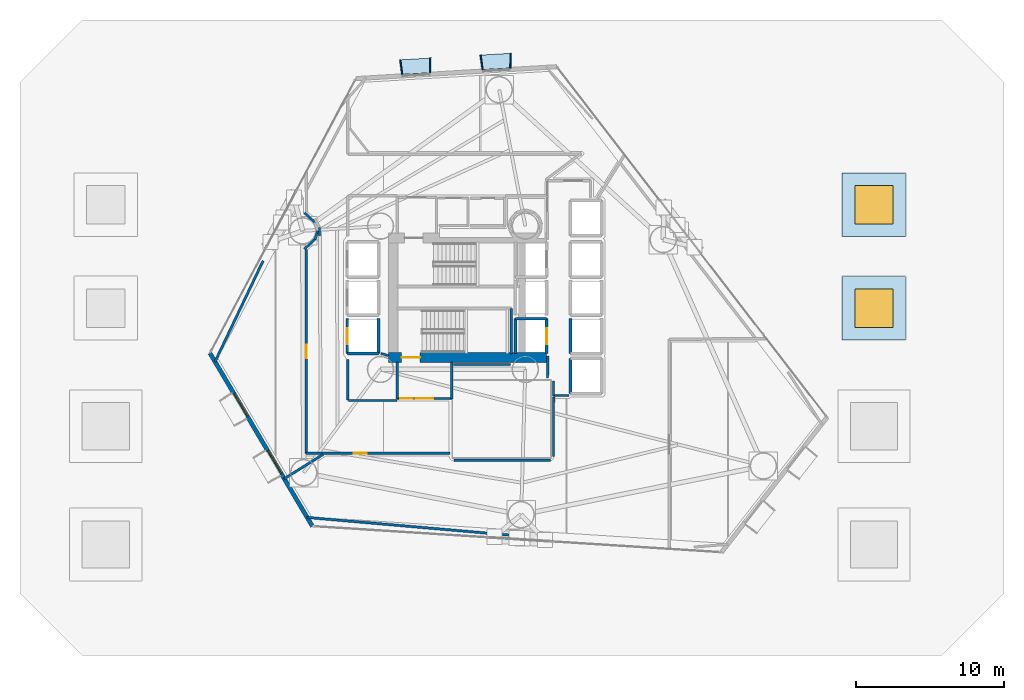
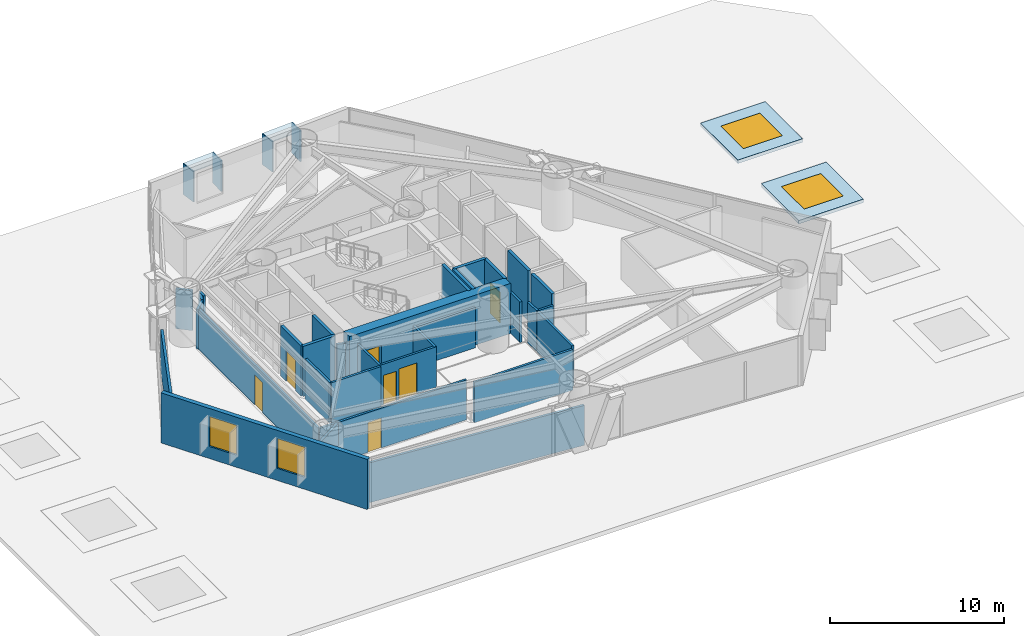
# One storey, part 16 of 22: 32 walls, 7 doors, 6 plates, 4 windows, 2 slabs, 11 openings.
"""IFC4 building model written with IfcOpenShell, lengths in metres."""

from ifc_helpers import new_model, si_unit, direction, frame, frame_2d, origin, origin_2d, place, context, subcontext, project, spatial, polyline, rectangle, outline, extrude, material, layer, layer_set, type_object, element, fill, save


model = new_model("IFC4")

# Units and contexts
model_context = context("Model", 3, precision=1e-05, world=origin(), true_north=direction((0.0, 1.0)))
body_context = subcontext(model_context, "Body", "Model", "MODEL_VIEW")
ifc_project = project(units=[si_unit("LENGTHUNIT", "METRE"), si_unit("AREAUNIT", "SQUARE_METRE"), si_unit("VOLUMEUNIT", "CUBIC_METRE"), si_unit("PLANEANGLEUNIT", "RADIAN"), si_unit("MASSUNIT", "GRAM", prefix="KILO")], contexts=[model_context])

# Site, building, storey
site_placement = place(None, origin())
site = spatial("IfcSite", under=ifc_project, at=site_placement, CompositionType="ELEMENT")
building_placement = place(site_placement, origin())
building = spatial("IfcBuilding", under=site, at=building_placement, Name="Qianvela Tower", CompositionType="ELEMENT")
storey_placement = place(building_placement, frame((0.0, 0.0, 25.699951171875)))
storey = spatial("IfcBuildingStorey", under=building, at=storey_placement, Name="L05", CompositionType="ELEMENT", Elevation=25.699951171875)

# Slab, opening, window
ifc_material_1 = material(Name="Insulated Roof Concrete C40", Category="concrete")
ifc_layer_1 = layer(ifc_material_1, 0.239990234375)
ifc_layer_set_1 = layer_set([ifc_layer_1], Name="Insulated Roof Concrete C40")
slab_type = type_object("IfcSlabType", Name="SL-ROOF-CANOPY-240", PredefinedType="ROOF", material=ifc_layer_set_1)
slab_1_placement = place(storey_placement, frame((0.0, 0.0, -0.239990234375)))
slab_1 = element("IfcSlab", 1, at=slab_1_placement, inside=storey, type_object=slab_type, Name="L05 Podium Skylight Roof Deck SKP-E3", PredefinedType="ROOF", context=body_context, shape_type="SweptSolid", body=[
    extrude(outline(polyline([(59.85009765625, 25.85009765625), (64.14990234375, 25.85009765625), (64.14990234375, 30.14990234375), (59.85009765625, 30.14990234375), (59.85009765625, 25.85009765625)])), origin(), (0.0, 0.0, 1.0), 0.239990234375),
])
opening_1_placement = place(slab_1_placement, frame((62.0, 28.0, 0.0)))
opening_1 = element("IfcOpeningElement", 2, at=opening_1_placement, cuts=slab_1, Name="Opening SK-02", PredefinedType="OPENING", context=body_context, shape_type="SweptSolid", body=[
    extrude(rectangle(XDim=2.60009765625, YDim=2.60009765625, at=origin_2d()), origin(), (0.0, 0.0, 1.0), 0.239990234375),
])
ifc_material_2 = material(Name="Laminated Safety Low-E Skylight Glass", Category="glass")
window_type_1 = type_object("IfcWindowType", Name="SKY-POD-2600x2600", PartitioningType="SINGLE_PANEL", PredefinedType="SKYLIGHT", material=ifc_material_2)
window_1_placement = place(opening_1_placement, frame((0.0, 0.0, 0.18994140625)))
window_1 = element("IfcWindow", 3, at=window_1_placement, inside=storey, type_object=window_type_1, Name="L05 Podium Concourse Skylight SKP-E3", OverallHeight=2.60009765625, OverallWidth=2.60009765625, PartitioningType="SINGLE_PANEL", PredefinedType="SKYLIGHT", context=body_context, shape_type="SweptSolid", body=[
    extrude(rectangle(XDim=2.60009765625, YDim=2.60009765625, at=origin_2d()), origin(), (0.0, 0.0, 1.0), 0.050048828125),
])
fill(opening_1, window_1)

slab_2_placement = place(storey_placement, frame((0.0, 0.0, -0.239990234375)))
slab_2 = element("IfcSlab", 4, at=slab_2_placement, inside=storey, type_object=slab_type, Name="L05 Podium Skylight Roof Deck SKP-E4", PredefinedType="ROOF", context=body_context, shape_type="SweptSolid", body=[
    extrude(outline(polyline([(59.85009765625, 32.85009765625), (64.14990234375, 32.85009765625), (64.14990234375, 37.14990234375), (59.85009765625, 37.14990234375), (59.85009765625, 32.85009765625)])), origin(), (0.0, 0.0, 1.0), 0.239990234375),
])
opening_2_placement = place(slab_2_placement, frame((62.0, 35.0, 0.0)))
opening_2 = element("IfcOpeningElement", 5, at=opening_2_placement, cuts=slab_2, Name="Opening SK-02", PredefinedType="OPENING", context=body_context, shape_type="SweptSolid", body=[
    extrude(rectangle(XDim=2.60009765625, YDim=2.60009765625, at=origin_2d()), origin(), (0.0, 0.0, 1.0), 0.239990234375),
])
window_2_placement = place(opening_2_placement, frame((0.0, 0.0, 0.18994140625)))
window_2 = element("IfcWindow", 6, at=window_2_placement, inside=storey, type_object=window_type_1, Name="L05 Podium Concourse Skylight SKP-E4", OverallHeight=2.60009765625, OverallWidth=2.60009765625, PartitioningType="SINGLE_PANEL", PredefinedType="SKYLIGHT", context=body_context, shape_type="SweptSolid", body=[
    extrude(rectangle(XDim=2.60009765625, YDim=2.60009765625, at=origin_2d()), origin(), (0.0, 0.0, 1.0), 0.050048828125),
])
fill(opening_2, window_2)

# Plates
ifc_material_3 = material(Name="Vitrified Architectural Terracotta Panel", Category="masonry")
ifc_layer_2 = layer(ifc_material_3, 0.074951171875)
ifc_layer_set_2 = layer_set([ifc_layer_2], Name="Vitrified Architectural Terracotta Panel")
plate_type_1 = type_object("IfcPlateType", Name="TERRACOTTA-SUNSHADE-HOOD-FOLD-D", PredefinedType="USERDEFINED", material=ifc_layer_set_2)
for number, where, z_axis, x_axis, name in (
    (7, (36.4189453125, 44.690185546875, 2.9599609375), (0.0, 0.0, 1.0), (-0.998254392486, -0.059060713521, 0.0), "L05 Terracotta Sunshade Hood FOLD-D"),
    (8, (30.98193359375, 44.368408203125, 2.9599609375), (0.0, 0.0, 1.0), (-0.998254392486, -0.059060713521, 0.0), "L05 Terracotta Sunshade Hood FOLD-D"),
):
    element("IfcPlate", number, at=place(storey_placement, frame(where, z_axis=z_axis, x_axis=x_axis)), inside=storey, type_object=plate_type_1, Name=name, ObjectType="SUNSHADE", PredefinedType="USERDEFINED", context=body_context, shape_type="SweptSolid", body=[
        extrude(rectangle(XDim=2.0400390625, YDim=0.989990234375, at=origin_2d()), origin(), (0.0, 0.0, 1.0), 0.06005859375),
    ])
ifc_material_4 = material(Name="Vitrified Architectural Terracotta Side Fin Panel", Category="masonry")
ifc_layer_3 = layer(ifc_material_4, 0.080078125)
ifc_layer_set_3 = layer_set([ifc_layer_3], Name="Vitrified Architectural Terracotta Side Fin Panel")
plate_type_2 = type_object("IfcPlateType", Name="TERRACOTTA-SUNSHADE-STRUT-FOLD-D", PredefinedType="USERDEFINED", material=ifc_layer_set_3)
for number, where, z_axis, x_axis, name in (
    (9, (37.4072265625, 44.748779296875, 0.85009765625), (0.0, 0.0, 1.0), (-0.999886277992, 0.015080818367, 0.0), "L05 Terracotta Sunshade Side Fin HL FOLD-D"),
    (10, (35.4306640625, 44.631591796875, 0.85009765625), (0.0, 0.0, 1.0), (-0.991132477374, -0.132877433349, 0.0), "L05 Terracotta Sunshade Side Fin HR FOLD-D"),
    (11, (31.97021484375, 44.427001953125, 0.85009765625), (0.0, 0.0, 1.0), (-0.999886277992, 0.015080818367, 0.0), "L05 Terracotta Sunshade Side Fin HL FOLD-D"),
    (12, (29.99365234375, 44.31005859375, 0.85009765625), (0.0, 0.0, 1.0), (-0.991132477374, -0.132877433349, 0.0), "L05 Terracotta Sunshade Side Fin HR FOLD-D"),
):
    element("IfcPlate", number, at=place(storey_placement, frame(where, z_axis=z_axis, x_axis=x_axis)), inside=storey, type_object=plate_type_2, Name=name, ObjectType="SUNSHADE", PredefinedType="USERDEFINED", context=body_context, shape_type="SweptSolid", body=[
        extrude(rectangle(XDim=0.080078125, YDim=1.010009765625, at=origin_2d()), origin(), (0.0, 0.0, 1.0), 2.159912109375),
    ])

# Wall, openings, windows
ifc_material_5 = material(Name="Terracotta Cladding on Concrete C40", Category="masonry")
ifc_layer_4 = layer(ifc_material_5, 0.280029296875)
ifc_layer_set_4 = layer_set([ifc_layer_4], Name="Terracotta Cladding on Concrete C40")
wall_type_1 = type_object("IfcWallType", Name="TERRACOTTA-WALL-280", PredefinedType="SOLIDWALL", material=ifc_layer_set_4)
wall_1_placement = place(storey_placement, frame((17.05859375, 24.95068359375, 0.0), z_axis=(0.0, 0.0, 1.0), x_axis=(0.509260190146, -0.860612606655, 0.0)))
wall_1 = element("IfcWall", 13, at=wall_1_placement, inside=storey, type_object=wall_type_1, Name="L05 Terracotta Chamfer Facet Wall 5", PredefinedType="SOLIDWALL", context=body_context, shape_type="SweptSolid", body=[
    extrude(rectangle(XDim=13.616455078125, YDim=0.280029296875, at=frame_2d((6.80810546875, 0.0))), origin(), (0.0, 0.0, 1.0), 3.52001953125),
])
opening_3_placement = place(wall_1_placement, frame((3.18505859375, 0.0, 0.85009765625)))
opening_3 = element("IfcOpeningElement", 14, at=opening_3_placement, cuts=wall_1, Name="Opening W-01", PredefinedType="OPENING", context=body_context, shape_type="SweptSolid", body=[
    extrude(rectangle(XDim=1.800048828125, YDim=2.10009765625, at=frame_2d((0.89990234375, 1.050048828125))), frame((0.0, 0.14990234375, 0.0), z_axis=(0.0, -1.0, 0.0), x_axis=(1.0, 0.0, 0.0)), (0.0, 0.0, 1.0), 0.300048828125),
])
opening_4_placement = place(wall_1_placement, frame((7.671630859375, 0.0, 0.85009765625)))
opening_4 = element("IfcOpeningElement", 15, at=opening_4_placement, cuts=wall_1, Name="Opening W-01", PredefinedType="OPENING", context=body_context, shape_type="SweptSolid", body=[
    extrude(rectangle(XDim=1.800048828125, YDim=2.10009765625, at=frame_2d((0.89990234375, 1.050048828125))), frame((0.0, 0.14990234375, 0.0), z_axis=(0.0, -1.0, 0.0), x_axis=(1.0, 0.0, 0.0)), (0.0, 0.0, 1.0), 0.300048828125),
])
ifc_material_6 = material(Name="Thermally Broken Aluminium and Low-E Glass", Category="aluminium")
window_type_2 = type_object("IfcWindowType", Name="WIN-TC-1800x2100", PartitioningType="DOUBLE_PANEL_VERTICAL", PredefinedType="WINDOW", material=ifc_material_6)
window_3_placement = place(opening_3_placement, origin())
window_3 = element("IfcWindow", 16, at=window_3_placement, inside=storey, type_object=window_type_2, Name="L05 Chamfer Facet Window 5.1", OverallHeight=2.10009765625, OverallWidth=1.800048828125, PartitioningType="SINGLE_PANEL", PredefinedType="WINDOW", context=body_context, shape_type="SweptSolid", body=[
    extrude(rectangle(XDim=1.800048828125, YDim=2.10009765625, at=frame_2d((0.89990234375, 1.050048828125))), frame((0.0, 0.030029296875, 0.0), z_axis=(0.0, -1.0, 0.0), x_axis=(1.0, 0.0, 0.0)), (0.0, 0.0, 1.0), 0.06005859375),
])
fill(opening_3, window_3)
window_4_placement = place(opening_4_placement, origin())
window_4 = element("IfcWindow", 17, at=window_4_placement, inside=storey, type_object=window_type_2, Name="L05 Chamfer Facet Window 5.2", OverallHeight=2.10009765625, OverallWidth=1.800048828125, PartitioningType="SINGLE_PANEL", PredefinedType="WINDOW", context=body_context, shape_type="SweptSolid", body=[
    extrude(rectangle(XDim=1.800048828125, YDim=2.10009765625, at=frame_2d((0.89990234375, 1.050048828125))), frame((0.0, 0.030029296875, 0.0), z_axis=(0.0, -1.0, 0.0), x_axis=(1.0, 0.0, 0.0)), (0.0, 0.0, 1.0), 0.06005859375),
])
fill(opening_4, window_4)

# Wall, opening, door
ifc_material_7 = material(Name="Concrete C60", Category="concrete")
ifc_layer_5 = layer(ifc_material_7, 0.64990234375)
ifc_layer_set_5 = layer_set([ifc_layer_5], Name="Concrete C60")
wall_type_2 = type_object("IfcWallType", Name="WT-CORE-650", PredefinedType="SHEAR", material=ifc_layer_set_5)
wall_2_placement = place(storey_placement, frame((29.1298828125, 24.655029296875, 0.0), z_axis=(0.0, 0.0, 1.0), x_axis=(1.0, 0.0, 0.0)))
wall_2 = element("IfcWall", 18, at=wall_2_placement, inside=storey, type_object=wall_type_2, Name="L05 South Core Shear Wall", PredefinedType="SHEAR", context=body_context, shape_type="SweptSolid", body=[
    extrude(rectangle(XDim=10.72021484375, YDim=0.64990234375, at=frame_2d((5.360107421875, 0.0))), origin(), (0.0, 0.0, 1.0), 3.52001953125),
])
opening_5_placement = place(wall_2_placement, frame((0.89501953125, 0.0, 0.0)))
opening_5 = element("IfcOpeningElement", 19, at=opening_5_placement, cuts=wall_2, Name="Opening D-ST1", PredefinedType="OPENING", context=body_context, shape_type="SweptSolid", body=[
    extrude(rectangle(XDim=1.25, YDim=2.14990234375, at=frame_2d((0.625, 1.074951171875))), frame((0.0, 0.3349609375, 0.0), z_axis=(0.0, -1.0, 0.0), x_axis=(1.0, 0.0, 0.0)), (0.0, 0.0, 1.0), 0.669921875),
])
ifc_material_8 = material(Name="Galvanised Fire Steel Q355B", Category="steel")
door_type_1 = type_object("IfcDoorType", Name="DT-STAIR-FD90", OperationType="NOTDEFINED", PredefinedType="DOOR", material=ifc_material_8)
door_1_placement = place(opening_5_placement, origin())
door_1 = element("IfcDoor", 20, at=door_1_placement, inside=storey, type_object=door_type_1, Name="L05 Stair ST-2 Exit Door", OperationType="SINGLE_SWING_LEFT", OverallHeight=2.14990234375, OverallWidth=1.25, PredefinedType="DOOR", context=body_context, shape_type="SweptSolid", body=[
    extrude(rectangle(XDim=1.25, YDim=2.14990234375, at=frame_2d((0.625, 1.074951171875))), frame((0.0, 0.02490234375, 0.0), z_axis=(0.0, -1.0, 0.0), x_axis=(1.0, 0.0, 0.0)), (0.0, 0.0, 1.0), 0.050048828125),
])
fill(opening_5, door_1)

# Wall, openings, doors
ifc_material_9 = material(Name="Fire-Rated Acoustic Gypsum Board")
ifc_layer_6 = layer(ifc_material_9, 0.14990234375)
ifc_layer_set_6 = layer_set([ifc_layer_6], Name="Fire-Rated Acoustic Gypsum Board")
wall_type_3 = type_object("IfcWallType", Name="WT-CORR-150", PredefinedType="PARTITIONING", material=ifc_layer_set_6)
wall_3_placement = place(storey_placement, frame((33.449951171875, 21.881103515625, 0.0), z_axis=(0.0, 0.0, 1.0), x_axis=(-1.0, 0.0, 0.0)))
wall_3 = element("IfcWall", 21, at=wall_3_placement, inside=storey, type_object=wall_type_3, Name="L05 Partition 5", PredefinedType="PARTITIONING", context=body_context, shape_type="SweptSolid", body=[
    extrude(rectangle(XDim=3.75, YDim=0.14990234375, at=frame_2d((1.875, 0.0))), origin(), (0.0, 0.0, 1.0), 2.840087890625),
])
opening_6_placement = place(wall_3_placement, frame((1.27490234375, 0.0, 0.0)))
opening_6 = element("IfcOpeningElement", 22, at=opening_6_placement, cuts=wall_3, Name="Opening D-LB1", PredefinedType="OPENING", context=body_context, shape_type="SweptSolid", body=[
    extrude(rectangle(XDim=1.199951171875, YDim=2.14990234375, at=frame_2d((0.60009765625, 1.074951171875))), frame((0.0, 0.0849609375, 0.0), z_axis=(0.0, -1.0, 0.0), x_axis=(1.0, 0.0, 0.0)), (0.0, 0.0, 1.0), 0.169921875),
])
opening_7_placement = place(wall_3_placement, frame((2.659912109375, 0.0, 0.0)))
opening_7 = element("IfcOpeningElement", 23, at=opening_7_placement, cuts=wall_3, Name="Opening D-LB2", PredefinedType="OPENING", context=body_context, shape_type="SweptSolid", body=[
    extrude(rectangle(XDim=0.860107421875, YDim=2.050048828125, at=frame_2d((0.43017578125, 1.02490234375))), frame((0.0, 0.0849609375, 0.0), z_axis=(0.0, -1.0, 0.0), x_axis=(1.0, 0.0, 0.0)), (0.0, 0.0, 1.0), 0.169921875),
])
ifc_material_10 = material(Name="Glazed Fire-Rated Steel Frame", Category="steel")
door_type_2 = type_object("IfcDoorType", Name="DT-LOBBY-FD90", OperationType="NOTDEFINED", PredefinedType="DOOR", material=ifc_material_10)
door_2_placement = place(opening_6_placement, origin())
door_2 = element("IfcDoor", 24, at=door_2_placement, inside=storey, type_object=door_type_2, Name="L05 Door L05 Firefighting Lobby South to L05 Floor Corridor", OperationType="SINGLE_SWING_RIGHT", OverallHeight=2.14990234375, OverallWidth=1.199951171875, PredefinedType="DOOR", context=body_context, shape_type="SweptSolid", body=[
    extrude(rectangle(XDim=1.199951171875, YDim=2.14990234375, at=frame_2d((0.60009765625, 1.074951171875))), frame((0.0, 0.02490234375, 0.0), z_axis=(0.0, -1.0, 0.0), x_axis=(1.0, 0.0, 0.0)), (0.0, 0.0, 1.0), 0.050048828125),
])
fill(opening_6, door_2)
ifc_material_11 = material(Name="Insulated Steel Fire Door Q355B", Category="steel")
door_type_3 = type_object("IfcDoorType", Name="DT-LOBBY-FD90-860", OperationType="NOTDEFINED", PredefinedType="DOOR", material=ifc_material_11)
door_3_placement = place(opening_7_placement, origin())
door_3 = element("IfcDoor", 25, at=door_3_placement, inside=storey, type_object=door_type_3, Name="L05 Door L05 Firefighting Lobby South to L05 Floor Corridor", OperationType="SINGLE_SWING_RIGHT", OverallHeight=2.050048828125, OverallWidth=0.860107421875, PredefinedType="DOOR", context=body_context, shape_type="SweptSolid", body=[
    extrude(rectangle(XDim=0.860107421875, YDim=2.050048828125, at=frame_2d((0.43017578125, 1.02490234375))), frame((0.0, 0.02490234375, 0.0), z_axis=(0.0, -1.0, 0.0), x_axis=(1.0, 0.0, 0.0)), (0.0, 0.0, 1.0), 0.050048828125),
])
fill(opening_7, door_3)

# Walls
for number, where, z_axis, x_axis, name in (
    (26, (29.73095703125, 21.85009765625, 0.0), (0.0, 0.0, 1.0), (0.0, 1.0, 0.0), "L05 Partition 6"),
    (27, (33.4189453125, 24.342041015625, 0.0), (0.0, 0.0, 1.0), (0.0, -1.0, 0.0), "L05 Partition 8"),
):
    element("IfcWall", number, at=place(storey_placement, frame(where, z_axis=z_axis, x_axis=x_axis)), inside=storey, type_object=wall_type_3, Name=name, PredefinedType="PARTITIONING", context=body_context, shape_type="SweptSolid", body=[
        extrude(rectangle(XDim=2.491943359375, YDim=0.14990234375, at=frame_2d((1.24609375, 0.0))), origin(), (0.0, 0.0, 1.0), 2.840087890625),
    ])
wall_4_placement = place(storey_placement, frame((41.360107421875, 22.0810546875, 0.0), z_axis=(0.0, 0.0, 1.0), x_axis=(-1.0, 0.0, 0.0)))
element("IfcWall", 28, at=wall_4_placement, inside=storey, type_object=wall_type_3, Name="L05 Partition 15", PredefinedType="PARTITIONING", context=body_context, shape_type="SweptSolid", body=[
    extrude(rectangle(XDim=1.080078125, YDim=0.14990234375, at=frame_2d((0.5400390625, 0.0))), origin(), (0.0, 0.0, 1.0), 2.840087890625),
])
wall_5_placement = place(storey_placement, frame((40.31103515625, 22.05029296875, 0.0), z_axis=(0.0, 0.0, 1.0), x_axis=(-0.011836292006, 0.999929948642, 0.0)))
element("IfcWall", 29, at=wall_5_placement, inside=storey, type_object=wall_type_3, Name="L05 Partition 16", PredefinedType="PARTITIONING", context=body_context, shape_type="SweptSolid", body=[
    extrude(rectangle(XDim=1.03125, YDim=0.14990234375, at=frame_2d((0.515625, 0.0))), origin(), (0.0, 0.0, 1.0), 2.840087890625),
])
wall_6_placement = place(storey_placement, frame((39.910888671875, 23.27978515625, 0.0), z_axis=(0.0, 0.0, 1.0), x_axis=(0.009397771291, 0.999955839972, 0.0)))
element("IfcWall", 30, at=wall_6_placement, inside=storey, type_object=wall_type_3, Name="L05 Partition 17", PredefinedType="PARTITIONING", context=body_context, shape_type="SweptSolid", body=[
    extrude(rectangle(XDim=1.480712890625, YDim=0.14990234375, at=frame_2d((0.740234375, 0.0))), origin(), (0.0, 0.0, 1.0), 2.840087890625),
])
wall_7_placement = place(storey_placement, frame((29.1298828125, 24.781982421875, 0.0), z_axis=(0.0, 0.0, 1.0), x_axis=(-0.955000482512, 0.296604245422, 0.0)))
element("IfcWall", 31, at=wall_7_placement, inside=storey, type_object=wall_type_3, Name="L05 Partition 31", PredefinedType="PARTITIONING", context=body_context, shape_type="SweptSolid", body=[
    extrude(rectangle(XDim=0.5244140625, YDim=0.14990234375, at=frame_2d((0.26220703125, 0.0))), origin(), (0.0, 0.0, 1.0), 2.840087890625),
])
wall_8_placement = place(storey_placement, frame((37.388671875, 24.180908203125, 0.0), z_axis=(0.0, 0.0, 1.0), x_axis=(-1.0, 0.0, 0.0)))
element("IfcWall", 32, at=wall_8_placement, inside=storey, type_object=wall_type_3, Name="L05 Partition 37", PredefinedType="PARTITIONING", context=body_context, shape_type="SweptSolid", body=[
    extrude(rectangle(XDim=3.858642578125, YDim=0.14990234375, at=frame_2d((1.92919921875, 0.0))), origin(), (0.0, 0.0, 1.0), 2.840087890625),
])
wall_9_placement = place(storey_placement, frame((26.388916015625, 24.530517578125, 0.0), z_axis=(0.0, 0.0, 1.0), x_axis=(0.0, -1.0, 0.0)))
element("IfcWall", 33, at=wall_9_placement, inside=storey, type_object=wall_type_3, Name="L05 Partition 49", PredefinedType="PARTITIONING", context=body_context, shape_type="SweptSolid", body=[
    extrude(rectangle(XDim=2.75048828125, YDim=0.14990234375, at=frame_2d((1.375244140625, 0.0))), origin(), (0.0, 0.0, 1.0), 2.840087890625),
])
wall_10_placement = place(storey_placement, frame((26.419921875, 21.7490234375, 0.0), z_axis=(0.0, 0.0, 1.0), x_axis=(1.0, 0.0, 0.0)))
element("IfcWall", 34, at=wall_10_placement, inside=storey, type_object=wall_type_3, Name="L05 Partition 50 seg 1", PredefinedType="PARTITIONING", context=body_context, shape_type="SweptSolid", body=[
    extrude(rectangle(XDim=3.280029296875, YDim=0.14990234375, at=frame_2d((1.64013671875, 0.0))), origin(), (0.0, 0.0, 1.0), 2.840087890625),
])

# Wall, opening, door
wall_11_placement = place(storey_placement, frame((33.320068359375, 18.180908203125, 0.0), z_axis=(0.0, 0.0, 1.0), x_axis=(-1.0, 0.0, 0.0)))
wall_11 = element("IfcWall", 35, at=wall_11_placement, inside=storey, type_object=wall_type_3, Name="L05 Partition 51", PredefinedType="PARTITIONING", context=body_context, shape_type="SweptSolid", body=[
    extrude(rectangle(XDim=9.77001953125, YDim=0.14990234375, at=frame_2d((4.885009765625, 0.0))), origin(), (0.0, 0.0, 1.0), 2.798095703125),
])
opening_8_placement = place(wall_11_placement, frame((5.64453125, 0.0, 0.0)))
opening_8 = element("IfcOpeningElement", 36, at=opening_8_placement, cuts=wall_11, Name="Opening D-KT1", PredefinedType="OPENING", context=body_context, shape_type="SweptSolid", body=[
    extrude(rectangle(XDim=0.89990234375, YDim=2.10009765625, at=frame_2d((0.449951171875, 1.050048828125))), frame((0.0, 0.0849609375, 0.0), z_axis=(0.0, -1.0, 0.0), x_axis=(1.0, 0.0, 0.0)), (0.0, 0.0, 1.0), 0.169921875),
])
ifc_material_12 = material(Name="Glazed Timber Kitchen Door", Category="wood")
door_type_4 = type_object("IfcDoorType", Name="DT-KITCH-900", OperationType="NOTDEFINED", PredefinedType="DOOR", material=ifc_material_12)
door_4_placement = place(opening_8_placement, origin())
door_4 = element("IfcDoor", 37, at=door_4_placement, inside=storey, type_object=door_type_4, Name="L05 Door Shared Communal Kitchen L05-02 to L05 Floor Corridor", OperationType="SINGLE_SWING_RIGHT", OverallHeight=2.10009765625, OverallWidth=0.89990234375, PredefinedType="DOOR", context=body_context, shape_type="SweptSolid", body=[
    extrude(rectangle(XDim=0.89990234375, YDim=2.10009765625, at=frame_2d((0.449951171875, 1.050048828125))), frame((0.0, 0.02490234375, 0.0), z_axis=(0.0, -1.0, 0.0), x_axis=(1.0, 0.0, 0.0)), (0.0, 0.0, 1.0), 0.050048828125),
])
fill(opening_8, door_4)

wall_12_placement = place(storey_placement, frame((23.5810546875, 18.14990234375, 0.0), z_axis=(0.0, 0.0, 1.0), x_axis=(0.0, 1.0, 0.0)))
wall_12 = element("IfcWall", 38, at=wall_12_placement, inside=storey, type_object=wall_type_3, Name="L05 Partition 52", PredefinedType="PARTITIONING", context=body_context, shape_type="SweptSolid", body=[
    extrude(rectangle(XDim=13.810302734375, YDim=0.14990234375, at=frame_2d((6.9052734375, 0.0))), origin(), (0.0, 0.0, 1.0), 2.798095703125),
])
opening_9_placement = place(wall_12_placement, frame((6.455078125, 0.0, 0.0)))
opening_9 = element("IfcOpeningElement", 39, at=opening_9_placement, cuts=wall_12, Name="Opening D-KT1", PredefinedType="OPENING", context=body_context, shape_type="SweptSolid", body=[
    extrude(rectangle(XDim=0.89990234375, YDim=2.10009765625, at=frame_2d((0.449951171875, 1.050048828125))), frame((0.0, 0.0849609375, 0.0), z_axis=(0.0, -1.0, 0.0), x_axis=(1.0, 0.0, 0.0)), (0.0, 0.0, 1.0), 0.169921875),
])
door_5_placement = place(opening_9_placement, origin())
door_5 = element("IfcDoor", 40, at=door_5_placement, inside=storey, type_object=door_type_4, Name="L05 Door Social Galley Kitchen L05-01 to L05 Floor Corridor", OperationType="SINGLE_SWING_LEFT", OverallHeight=2.10009765625, OverallWidth=0.89990234375, PredefinedType="DOOR", context=body_context, shape_type="SweptSolid", body=[
    extrude(rectangle(XDim=0.89990234375, YDim=2.10009765625, at=frame_2d((0.449951171875, 1.050048828125))), frame((0.0, 0.02490234375, 0.0), z_axis=(0.0, -1.0, 0.0), x_axis=(1.0, 0.0, 0.0)), (0.0, 0.0, 1.0), 0.050048828125),
])
fill(opening_9, door_5)

# Walls
wall_13_placement = place(storey_placement, frame((24.45654296875, 32.8974609375, 0.0), z_axis=(0.0, 0.0, 1.0), x_axis=(0.020031598679, 0.999799347396, 0.0)))
element("IfcWall", 41, at=wall_13_placement, inside=storey, type_object=wall_type_3, Name="L05 Partition 54", PredefinedType="PARTITIONING", context=body_context, shape_type="SweptSolid", body=[
    extrude(rectangle(XDim=0.54833984375, YDim=0.14990234375, at=frame_2d((0.274169921875, 0.0))), origin(), (0.0, 0.0, 1.0), 2.840087890625),
])
ifc_material_13 = material(Name="Sanitary Service Chase Partition")
ifc_layer_7 = layer(ifc_material_13, 0.1650390625)
ifc_layer_set_7 = layer_set([ifc_layer_7], Name="Sanitary Service Chase Partition")
wall_type_4 = type_object("IfcWallType", Name="WT-PLUMB-165", PredefinedType="PLUMBINGWALL", material=ifc_layer_set_7)
wall_14_placement = place(storey_placement, frame((23.458251953125, 34.445068359375, 0.0), z_axis=(0.0, 0.0, 1.0), x_axis=(0.737422772015, -0.675431458635, 0.0)))
element("IfcWall", 42, at=wall_14_placement, inside=storey, type_object=wall_type_4, Name="L05 Partition 56", PredefinedType="PLUMBINGWALL", context=body_context, shape_type="SweptSolid", body=[
    extrude(rectangle(XDim=0.980712890625, YDim=0.1650390625, at=frame_2d((0.490234375, 0.0))), origin(), (0.0, 0.0, 1.0), 2.798095703125),
])
wall_15_placement = place(storey_placement, frame((24.347900390625, 33.237060546875, 0.0), z_axis=(0.0, 0.0, 1.0), x_axis=(-0.29038902353, -0.956908676423, 0.0)))
element("IfcWall", 43, at=wall_15_placement, inside=storey, type_object=wall_type_4, Name="L05 Partition 58", PredefinedType="PLUMBINGWALL", context=body_context, shape_type="SweptSolid", body=[
    extrude(rectangle(XDim=0.603759765625, YDim=0.1650390625, at=frame_2d((0.3017578125, 0.0))), origin(), (0.0, 0.0, 1.0), 2.840087890625),
])
wall_16_placement = place(storey_placement, frame((24.181396484375, 32.673095703125, 0.0), z_axis=(0.0, 0.0, 1.0), x_axis=(-0.731428236436, -0.681918422499, 0.0)))
element("IfcWall", 44, at=wall_16_placement, inside=storey, type_object=wall_type_4, Name="L05 Partition 59", PredefinedType="PLUMBINGWALL", context=body_context, shape_type="SweptSolid", body=[
    extrude(rectangle(XDim=1.0009765625, YDim=0.1650390625, at=frame_2d((0.50048828125, 0.0))), origin(), (0.0, 0.0, 1.0), 2.798095703125),
])
wall_17_placement = place(storey_placement, frame((24.713623046875, 18.09619140625, 0.0), z_axis=(0.0, 0.0, 1.0), x_axis=(-0.848068672168, -0.529886334309, 0.0)))
element("IfcWall", 45, at=wall_17_placement, inside=storey, type_object=wall_type_4, Name="L05 Partition 62", PredefinedType="PLUMBINGWALL", context=body_context, shape_type="SweptSolid", body=[
    extrude(rectangle(XDim=3.118408203125, YDim=0.1650390625, at=frame_2d((1.55908203125, 0.0))), origin(), (0.0, 0.0, 1.0), 2.798095703125),
])
wall_18_placement = place(storey_placement, frame((17.392822265625, 24.352294921875, 0.0), z_axis=(0.0, 0.0, 1.0), x_axis=(0.429936076477, 0.902859330208, 0.0)))
element("IfcWall", 46, at=wall_18_placement, inside=storey, type_object=wall_type_4, Name="L05 Partition 64 seg 1", PredefinedType="PLUMBINGWALL", context=body_context, shape_type="SweptSolid", body=[
    extrude(rectangle(XDim=7.59326171875, YDim=0.1650390625, at=frame_2d((3.796630859375, 0.0))), origin(), (0.0, 0.0, 1.0), 2.840087890625),
])
wall_19_placement = place(storey_placement, frame((40.309814453125, 17.972412109375, 0.0), z_axis=(0.0, 0.0, 1.0), x_axis=(0.000305362145, 0.999999953377, 0.0)))
element("IfcWall", 47, at=wall_19_placement, inside=storey, type_object=wall_type_4, Name="L05 Partition 65 seg 1", PredefinedType="PLUMBINGWALL", context=body_context, shape_type="SweptSolid", body=[
    extrude(rectangle(XDim=3.99755859375, YDim=0.1650390625, at=frame_2d((1.998779296875, 0.0))), origin(), (0.0, 0.0, 1.0), 2.840087890625),
])
wall_20_placement = place(storey_placement, frame((37.920166015625, 12.5849609375, 0.0), z_axis=(0.0, 0.0, 1.0), x_axis=(-0.996212651015, 0.086950295909, 0.0)))
element("IfcWall", 48, at=wall_20_placement, inside=storey, type_object=wall_type_4, Name="L05 Partition 78 seg 2", PredefinedType="PLUMBINGWALL", context=body_context, shape_type="SweptSolid", body=[
    extrude(rectangle(XDim=14.3564453125, YDim=0.1650390625, at=frame_2d((7.17822265625, 0.0))), origin(), (0.0, 0.0, 1.0), 2.798095703125),
])
wall_21_placement = place(storey_placement, frame((33.572509765625, 17.690185546875, 0.0), z_axis=(0.0, 0.0, 1.0), x_axis=(0.999995307247, 0.003063573758, 0.0)))
element("IfcWall", 49, at=wall_21_placement, inside=storey, type_object=wall_type_4, Name="L05 Partition 82", PredefinedType="PLUMBINGWALL", context=body_context, shape_type="SweptSolid", body=[
    extrude(rectangle(XDim=6.53466796875, YDim=0.1650390625, at=frame_2d((3.267333984375, 0.0))), origin(), (0.0, 0.0, 1.0), 2.840087890625),
])
ifc_material_14 = material(Name="Concrete C50", Category="concrete")
ifc_layer_8 = layer(ifc_material_14, 0.199951171875)
ifc_layer_set_8 = layer_set([ifc_layer_8], Name="Concrete C50")
wall_type_5 = type_object("IfcWallType", Name="WT-SHAFT-200", PredefinedType="SOLIDWALL", material=ifc_layer_set_8)
wall_22_placement = place(storey_placement, frame((37.449951171875, 24.89990234375, 0.0), z_axis=(0.0, 0.0, 1.0), x_axis=(0.0, 1.0, 0.0)))
element("IfcWall", 50, at=wall_22_placement, inside=storey, type_object=wall_type_5, Name="L05 Stair ST-2 East Wall", PredefinedType="SOLIDWALL", context=body_context, shape_type="SweptSolid", body=[
    extrude(rectangle(XDim=3.06005859375, YDim=0.199951171875, at=frame_2d((1.530029296875, 0.0))), origin(), (0.0, 0.0, 1.0), 3.52001953125),
])

# Wall, opening, door
wall_23_placement = place(storey_placement, frame((39.85009765625, 24.919921875, 0.0), z_axis=(0.0, 0.0, 1.0), x_axis=(0.0, 1.0, 0.0)))
wall_23 = element("IfcWall", 51, at=wall_23_placement, inside=storey, type_object=wall_type_5, Name="L05 Lift FL-2 E Shaft Wall", PredefinedType="SOLIDWALL", context=body_context, shape_type="SweptSolid", body=[
    extrude(rectangle(XDim=2.360107421875, YDim=0.199951171875, at=frame_2d((1.18017578125, 0.0))), origin(), (0.0, 0.0, 1.0), 3.52001953125),
])
opening_10_placement = place(wall_23_placement, frame((0.6298828125, 0.0, 0.0)))
opening_10 = element("IfcOpeningElement", 52, at=opening_10_placement, cuts=wall_23, Name="Opening LD-01", PredefinedType="OPENING", context=body_context, shape_type="SweptSolid", body=[
    extrude(rectangle(XDim=1.10009765625, YDim=2.14990234375, at=frame_2d((0.550048828125, 1.074951171875))), frame((0.0, 0.10986328125, 0.0), z_axis=(0.0, -1.0, 0.0), x_axis=(1.0, 0.0, 0.0)), (0.0, 0.0, 1.0), 0.219970703125),
])
ifc_material_15 = material(Name="Brushed Stainless Steel Lift Landing Door", Category="steel")
door_type_5 = type_object("IfcDoorType", Name="DT-LIFT-SLIDE-1100", OperationType="SLIDING_TO_LEFT", PredefinedType="DOOR", material=ifc_material_15)
door_6_placement = place(opening_10_placement, origin())
door_6 = element("IfcDoor", 53, at=door_6_placement, inside=storey, type_object=door_type_5, Name="L05 Lift FL-2 Sliding Landing Door", OperationType="SLIDING_TO_LEFT", OverallHeight=2.14990234375, OverallWidth=1.10009765625, PredefinedType="DOOR", context=body_context, shape_type="SweptSolid", body=[
    extrude(rectangle(XDim=1.10009765625, YDim=2.14990234375, at=frame_2d((0.550048828125, 1.074951171875))), frame((0.0, 0.02490234375, 0.0), z_axis=(0.0, -1.0, 0.0), x_axis=(1.0, 0.0, 0.0)), (0.0, 0.0, 1.0), 0.050048828125),
])
fill(opening_10, door_6)

# Walls
wall_24_placement = place(storey_placement, frame((37.75, 24.919921875, 0.0), z_axis=(0.0, 0.0, 1.0), x_axis=(0.0, 1.0, 0.0)))
element("IfcWall", 54, at=wall_24_placement, inside=storey, type_object=wall_type_5, Name="L05 Lift FL-2 W Shaft Wall", PredefinedType="SOLIDWALL", context=body_context, shape_type="SweptSolid", body=[
    extrude(rectangle(XDim=2.360107421875, YDim=0.199951171875, at=frame_2d((1.18017578125, 0.0))), origin(), (0.0, 0.0, 1.0), 3.52001953125),
])
wall_25_placement = place(storey_placement, frame((37.75, 27.280029296875, 0.0), z_axis=(0.0, 0.0, 1.0), x_axis=(1.0, 0.0, 0.0)))
element("IfcWall", 55, at=wall_25_placement, inside=storey, type_object=wall_type_5, Name="L05 Lift FL-2 N Shaft Wall", PredefinedType="SOLIDWALL", context=body_context, shape_type="SweptSolid", body=[
    extrude(rectangle(XDim=2.10009765625, YDim=0.199951171875, at=frame_2d((1.050048828125, 0.0))), origin(), (0.0, 0.0, 1.0), 3.52001953125),
])
wall_26_placement = place(storey_placement, frame((28.449951171875, 24.919921875, 0.0), z_axis=(0.0, 0.0, 1.0), x_axis=(0.0, 1.0, 0.0)))
element("IfcWall", 56, at=wall_26_placement, inside=storey, type_object=wall_type_5, Name="L05 Lift PL-L3 E Shaft Wall", PredefinedType="SOLIDWALL", context=body_context, shape_type="SweptSolid", body=[
    extrude(rectangle(XDim=2.360107421875, YDim=0.199951171875, at=frame_2d((1.18017578125, 0.0))), origin(), (0.0, 0.0, 1.0), 3.52001953125),
])

# Wall, opening, door
wall_27_placement = place(storey_placement, frame((26.35009765625, 24.919921875, 0.0), z_axis=(0.0, 0.0, 1.0), x_axis=(0.0, 1.0, 0.0)))
wall_27 = element("IfcWall", 57, at=wall_27_placement, inside=storey, type_object=wall_type_5, Name="L05 Lift PL-L3 W Shaft Wall", PredefinedType="SOLIDWALL", context=body_context, shape_type="SweptSolid", body=[
    extrude(rectangle(XDim=2.360107421875, YDim=0.199951171875, at=frame_2d((1.18017578125, 0.0))), origin(), (0.0, 0.0, 1.0), 3.52001953125),
])
opening_11_placement = place(wall_27_placement, frame((0.6298828125, 0.0, 0.0)))
opening_11 = element("IfcOpeningElement", 58, at=opening_11_placement, cuts=wall_27, Name="Opening LD-01", PredefinedType="OPENING", context=body_context, shape_type="SweptSolid", body=[
    extrude(rectangle(XDim=1.10009765625, YDim=2.14990234375, at=frame_2d((0.550048828125, 1.074951171875))), frame((0.0, 0.10986328125, 0.0), z_axis=(0.0, -1.0, 0.0), x_axis=(1.0, 0.0, 0.0)), (0.0, 0.0, 1.0), 0.219970703125),
])
door_7_placement = place(opening_11_placement, origin())
door_7 = element("IfcDoor", 59, at=door_7_placement, inside=storey, type_object=door_type_5, Name="L05 Lift PL-L3 Sliding Landing Door", OperationType="SLIDING_TO_LEFT", OverallHeight=2.14990234375, OverallWidth=1.10009765625, PredefinedType="DOOR", context=body_context, shape_type="SweptSolid", body=[
    extrude(rectangle(XDim=1.10009765625, YDim=2.14990234375, at=frame_2d((0.550048828125, 1.074951171875))), frame((0.0, 0.02490234375, 0.0), z_axis=(0.0, -1.0, 0.0), x_axis=(1.0, 0.0, 0.0)), (0.0, 0.0, 1.0), 0.050048828125),
])
fill(opening_11, door_7)

# Walls
wall_28_placement = place(storey_placement, frame((26.35009765625, 24.919921875, 0.0), z_axis=(0.0, 0.0, 1.0), x_axis=(1.0, 0.0, 0.0)))
element("IfcWall", 60, at=wall_28_placement, inside=storey, type_object=wall_type_5, Name="L05 Lift PL-L3 S Shaft Wall", PredefinedType="SOLIDWALL", context=body_context, shape_type="SweptSolid", body=[
    extrude(rectangle(XDim=2.099853515625, YDim=0.199951171875, at=frame_2d((1.0498046875, 0.0))), origin(), (0.0, 0.0, 1.0), 3.52001953125),
])
for number, where, z_axis, x_axis, name in (
    (61, (41.449951171875, 24.919921875, 0.0), (0.0, 0.0, 1.0), (0.0, 1.0, 0.0), "L05 Lift PL-M3 W Shaft Wall"),
    (62, (41.449951171875, 22.219970703125, 0.0), (0.0, 0.0, 1.0), (0.0, 1.0, 0.0), "L05 Lift PL-H2 W Shaft Wall"),
):
    element("IfcWall", number, at=place(storey_placement, frame(where, z_axis=z_axis, x_axis=x_axis)), inside=storey, type_object=wall_type_5, Name=name, PredefinedType="SOLIDWALL", context=body_context, shape_type="SweptSolid", body=[
        extrude(rectangle(XDim=2.360107421875, YDim=0.199951171875, at=frame_2d((1.18017578125, 0.0))), origin(), (0.0, 0.0, 1.0), 3.52001953125),
    ])

save(model, "model.ifc")
